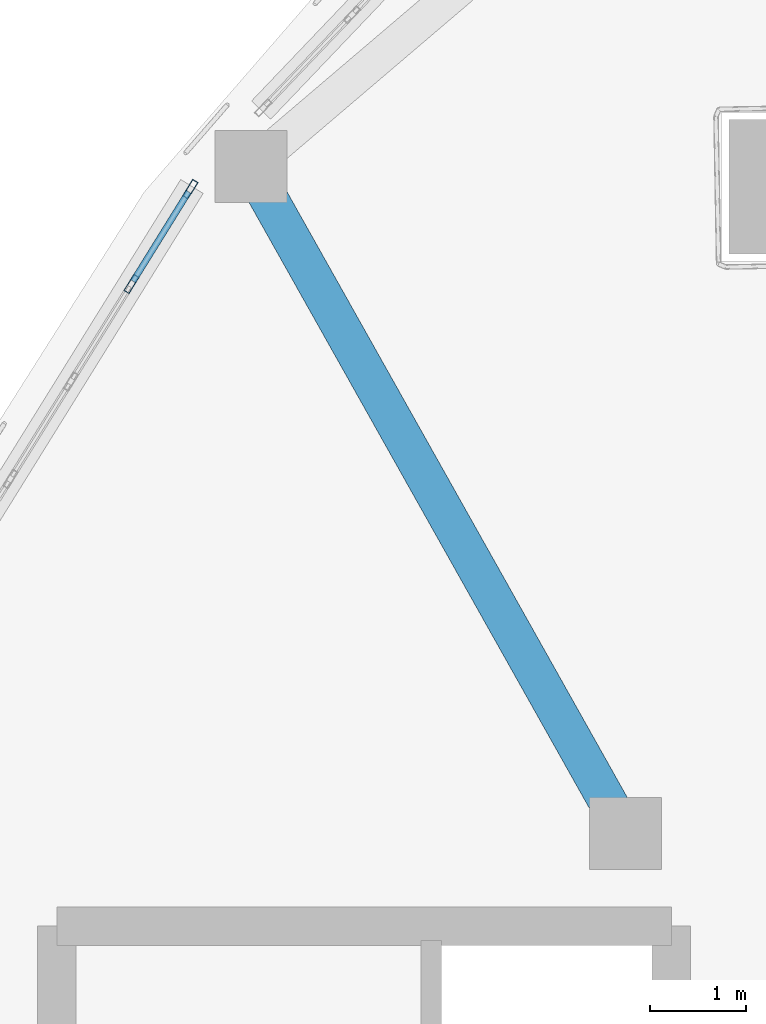
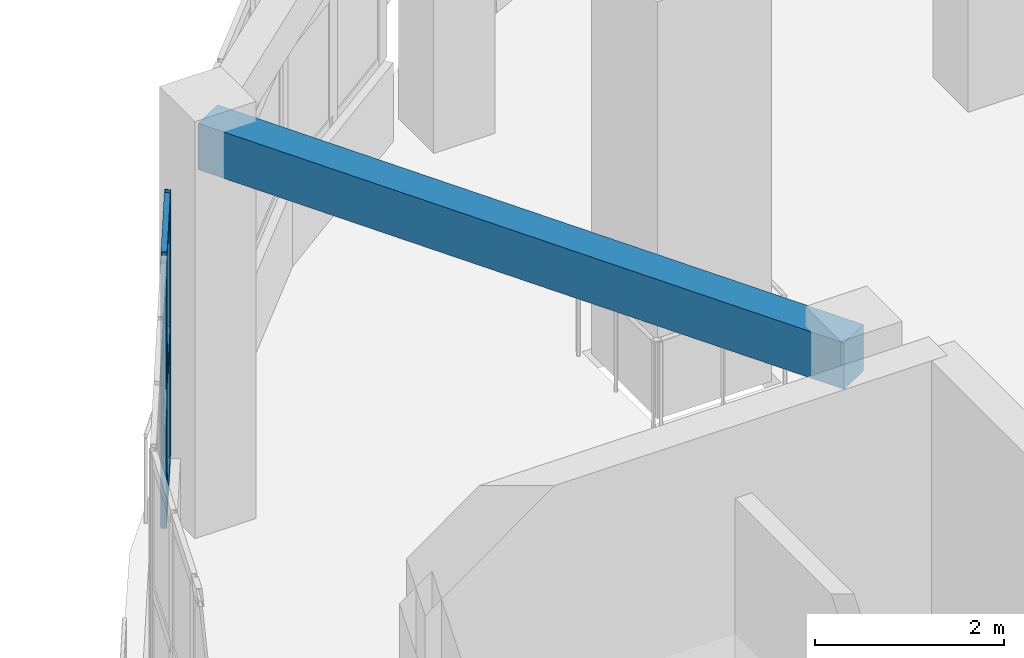
# One storey, part 42 of 96: 5 members, 1 beam, 1 element without a shape of its own.
"""IFC4 building model written with IfcOpenShell, lengths in metres."""

from ifc_helpers import new_model, si_unit, direction, frame, origin, origin_2d, place, context, subcontext, project, spatial, rectangle, hollow_rectangle, extrude, material, layer, layer_set, material_profile, profile_set, type_object, element, aggregate, save


model = new_model("IFC4")

# Units and contexts
model_context = context("Model", 3, precision=1e-05, world=origin(), true_north=direction((0.0, 1.0)))
body_context = subcontext(model_context, "Body", "Model", "MODEL_VIEW")
ifc_project = project(units=[si_unit("LENGTHUNIT", "METRE"), si_unit("AREAUNIT", "SQUARE_METRE"), si_unit("VOLUMEUNIT", "CUBIC_METRE"), si_unit("PLANEANGLEUNIT", "RADIAN"), si_unit("MASSUNIT", "GRAM", prefix="KILO")], contexts=[model_context])

# Site, building, storey
site_placement = place(None, origin())
site = spatial("IfcSite", under=ifc_project, at=site_placement, CompositionType="ELEMENT")
building_placement = place(site_placement, origin())
building = spatial("IfcBuilding", under=site, at=building_placement, Name="Pelvatis Terrace Science Centre", CompositionType="ELEMENT")
storey_placement = place(building_placement, origin())
storey = spatial("IfcBuildingStorey", under=building, at=storey_placement, Name="L00", CompositionType="ELEMENT", Elevation=0.0)

# Beam
ifc_material_1 = material(Name="Concrete C35/45", Category="concrete")
ifc_material_profile_1 = material_profile(ifc_material_1, rectangle(XDim=0.39990234375, YDim=0.60009765625, at=origin_2d()), Name="RC-BM 400x600")
ifc_profile_set_1 = profile_set([ifc_material_profile_1], Name="Concrete C35/45")
beam_type = type_object("IfcBeamType", Name="BM-RC-400x600", PredefinedType="BEAM", material=ifc_profile_set_1)
beam_placement = place(storey_placement, frame((88.8203125, 95.71142578125, 4.840087890625), z_axis=(0.489826177205, -0.871820116839, 0.0), x_axis=(0.871820116839, 0.489826177205, 0.0)))
element("IfcBeam", 1, at=beam_placement, inside=storey, type_object=beam_type, Name="Beam BM-L00-2272", PredefinedType="BEAM", context=body_context, shape_type="SweptSolid", body=[
    extrude(rectangle(XDim=0.39990234375, YDim=0.60009765625, at=origin_2d()), origin(), (0.0, 0.0, 1.0), 7.96728515625),
])

# Curtain wall, members
ifc_material_2 = material(Name="Bronze-anodised aluminium and laminated glass", Category="aluminium")
ifc_layer = layer(ifc_material_2, 0.199951171875)
ifc_layer_set = layer_set([ifc_layer], Name="Bronze-anodised aluminium and laminated glass")
curtain_wall_type = type_object("IfcCurtainWallType", Name="CW-RIBBON-B", PredefinedType="NOTDEFINED", material=ifc_layer_set)
curtain_wall_placement = place(storey_placement, origin())
curtain_wall = element("IfcCurtainWall", 2, at=curtain_wall_placement, inside=storey, type_object=curtain_wall_type, Name="Ribbon curtain wall CW-113 (L00)", PredefinedType="NOTDEFINED")
ifc_material_3 = material(Name="Bronze-anodised aluminium 6063-T6", Category="aluminium")
ifc_material_profile_2 = material_profile(ifc_material_3, hollow_rectangle(XDim=0.06494140625, YDim=0.199951171875, WallThickness=0.00439453125, at=origin_2d()), Name="ALU-MUL 65x200")
ifc_profile_set_2 = profile_set([ifc_material_profile_2], Name="Bronze-anodised aluminium 6063-T6")
member_type_1 = type_object("IfcMemberType", Name="CWM-65x200", PredefinedType="MULLION", material=ifc_profile_set_2)
member_1_placement = place(storey_placement, frame((88.18994140625, 95.47607421875, 1.02001953125), z_axis=(0.0, 0.0, 1.0), x_axis=(0.849581991554, -0.527456576058, 0.0)))
member_1 = element("IfcMember", 3, at=member_1_placement, type_object=member_type_1, Name="CW-113 mullion 1", PredefinedType="MULLION", context=body_context, shape_type="SweptSolid", body=[
    extrude(hollow_rectangle(XDim=0.06494140625, YDim=0.199951171875, WallThickness=0.00439453125, at=origin_2d()), origin(), (0.0, 0.0, 1.0), 3.43994140625),
])
member_2_placement = place(storey_placement, frame((87.57666015625, 94.48828125, 1.02001953125), z_axis=(0.0, 0.0, 1.0), x_axis=(0.849581991554, -0.527456576058, 0.0)))
member_2 = element("IfcMember", 4, at=member_2_placement, type_object=member_type_1, Name="CW-113 mullion 2", PredefinedType="MULLION", context=body_context, shape_type="SweptSolid", body=[
    extrude(hollow_rectangle(XDim=0.06494140625, YDim=0.199951171875, WallThickness=0.00439453125, at=origin_2d()), origin(), (0.0, 0.0, 1.0), 3.43994140625),
])
ifc_material_4 = material(Name="Bronze-anodised aluminium 6063-T6", Category="aluminium")
ifc_material_profile_3 = material_profile(ifc_material_4, hollow_rectangle(XDim=0.06494140625, YDim=0.159912109375, WallThickness=0.00390625, at=origin_2d()), Name="ALU-TRN 65x160")
ifc_profile_set_3 = profile_set([ifc_material_profile_3], Name="Bronze-anodised aluminium 6063-T6")
member_type_2 = type_object("IfcMemberType", Name="CWT-65x160", PredefinedType="USERDEFINED", material=ifc_profile_set_3)
member_3_placement = place(storey_placement, frame((88.172607421875, 95.448486328125, 1.052490234375), z_axis=(-0.527357325137, -0.849643602709, 0.0), x_axis=(0.849643602709, -0.527357325137, 0.0)))
member_3 = element("IfcMember", 5, at=member_3_placement, type_object=member_type_2, Name="CW-113 transom 1.1", ObjectType="TRANSOM", PredefinedType="USERDEFINED", context=body_context, shape_type="SweptSolid", body=[
    extrude(hollow_rectangle(XDim=0.06494140625, YDim=0.159912109375, WallThickness=0.00390625, at=origin_2d()), origin(), (0.0, 0.0, 1.0), 1.09765625),
])
member_4_placement = place(storey_placement, frame((88.172607421875, 95.448486328125, 2.739990234375), z_axis=(-0.527357325137, -0.849643602709, 0.0), x_axis=(0.849643602709, -0.527357325137, 0.0)))
member_4 = element("IfcMember", 6, at=member_4_placement, type_object=member_type_2, Name="CW-113 transom 1.2", ObjectType="TRANSOM", PredefinedType="USERDEFINED", context=body_context, shape_type="SweptSolid", body=[
    extrude(hollow_rectangle(XDim=0.06494140625, YDim=0.159912109375, WallThickness=0.00390625, at=origin_2d()), origin(), (0.0, 0.0, 1.0), 1.09765625),
])
member_5_placement = place(storey_placement, frame((88.172607421875, 95.448486328125, 4.427490234375), z_axis=(-0.527357325137, -0.849643602709, 0.0), x_axis=(0.849643602709, -0.527357325137, 0.0)))
member_5 = element("IfcMember", 7, at=member_5_placement, type_object=member_type_2, Name="CW-113 transom 1.3", ObjectType="TRANSOM", PredefinedType="USERDEFINED", context=body_context, shape_type="SweptSolid", body=[
    extrude(hollow_rectangle(XDim=0.06494140625, YDim=0.159912109375, WallThickness=0.00390625, at=origin_2d()), origin(), (0.0, 0.0, 1.0), 1.09765625),
])
aggregate(curtain_wall, [member_1, member_2, member_3, member_4, member_5])

save(model, "model.ifc")
